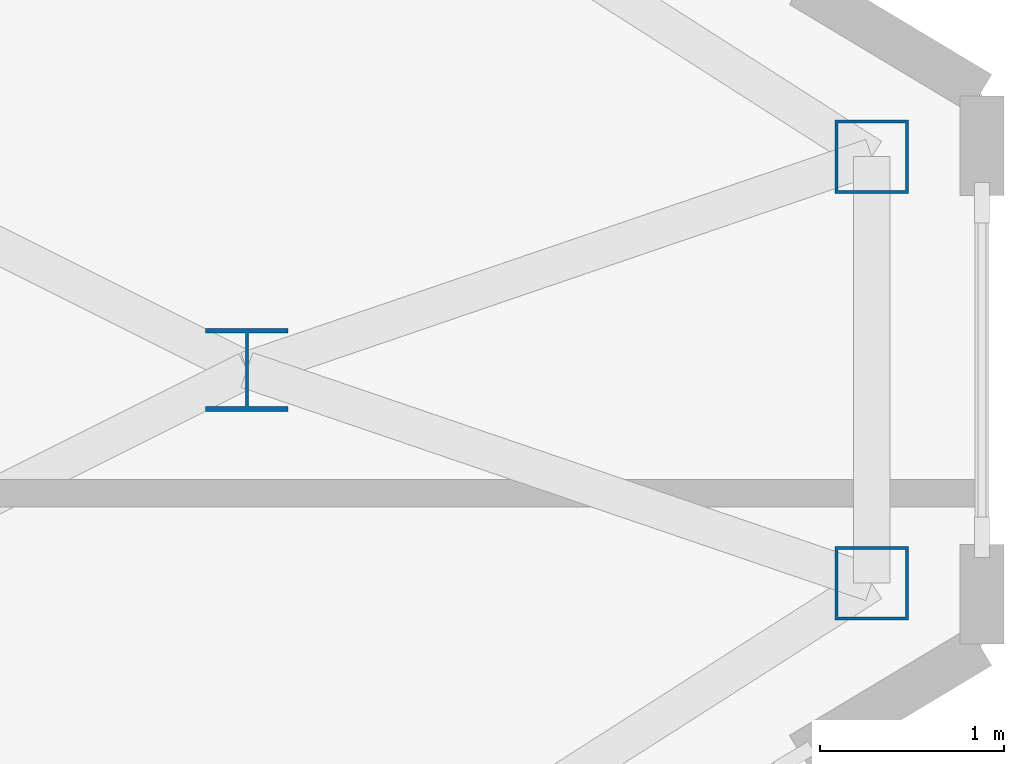
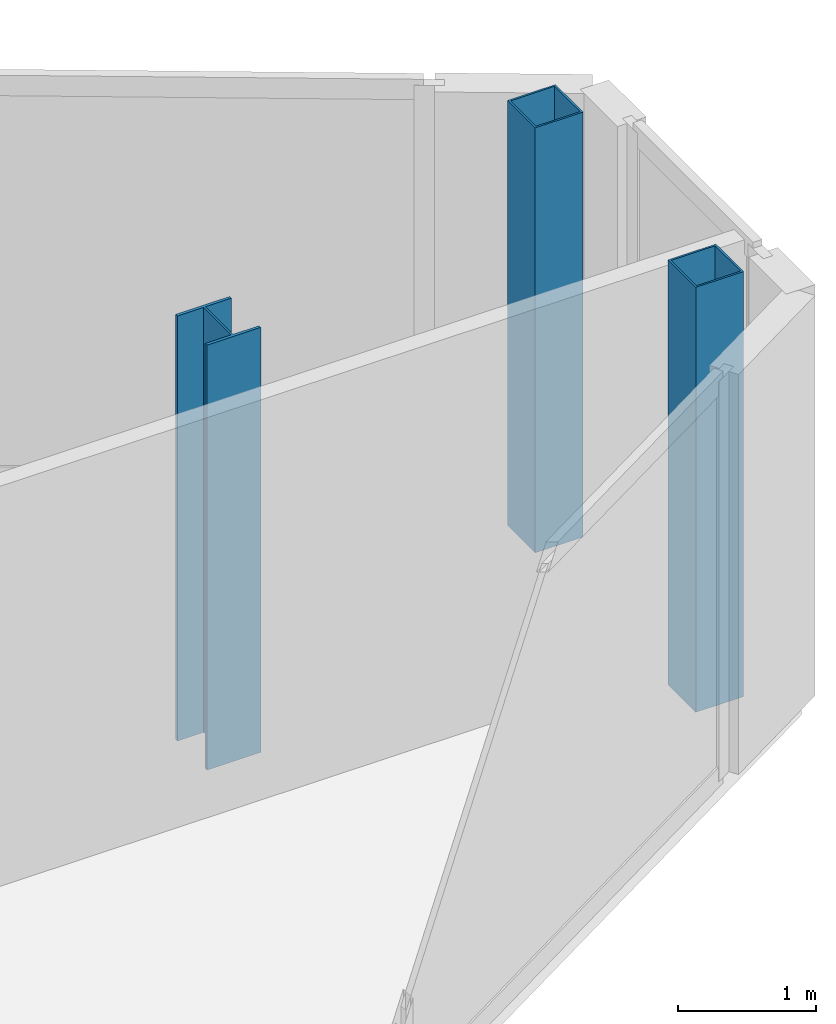
# One storey, part 7 of 29: 3 columns.
"""IFC4 building model written with IfcOpenShell, lengths in metres."""

from ifc_helpers import new_model, si_unit, direction, frame, origin, origin_2d, place, context, subcontext, project, spatial, hollow_rectangle, i_section, extrude, source, transform, mapped, material, material_profile, profile_set, type_object, type_shapes, element, save


model = new_model("IFC4")

# Units and contexts
model_context = context("Model", 3, precision=1e-05, world=origin(), true_north=direction((0.0, 1.0)))
body_context = subcontext(model_context, "Body", "Model", "MODEL_VIEW")
ifc_project = project(units=[si_unit("LENGTHUNIT", "METRE"), si_unit("AREAUNIT", "SQUARE_METRE"), si_unit("VOLUMEUNIT", "CUBIC_METRE"), si_unit("PLANEANGLEUNIT", "RADIAN"), si_unit("MASSUNIT", "GRAM", prefix="KILO")], contexts=[model_context])

# Site, building, storey
site_placement = place(None, origin())
site = spatial("IfcSite", under=ifc_project, at=site_placement, CompositionType="ELEMENT")
building_placement = place(site_placement, origin())
building = spatial("IfcBuilding", under=site, at=building_placement, Name="Seokmaru Belvedere", CompositionType="ELEMENT")
storey_placement = place(building_placement, frame((0.0, 0.0, 258.14990234375)))
storey = spatial("IfcBuildingStorey", under=building, at=storey_placement, Name="L68", CompositionType="ELEMENT", Elevation=258.14990234375)

# Columns
ifc_material = material(Name="Steel SM355 (355 MPa)", Category="steel")
ifc_material_profile_1 = material_profile(ifc_material, i_section(OverallWidth=0.449951171875, OverallDepth=0.449951171875, WebThickness=0.01611328125, FlangeThickness=0.02490234375, at=origin_2d()), Name="H-450x450x16x25")
ifc_profile_set_1 = profile_set([ifc_material_profile_1], Name="Steel SM355 (355 MPa)")
column_type_1 = type_object("IfcColumnType", Name="Sky-Gate Column H-450", PredefinedType="COLUMN", material=ifc_profile_set_1)
shared_shape_1 = source(origin(), body_context, "Body", "SweptSolid", [
    extrude(i_section(OverallWidth=0.449951171875, OverallDepth=0.449951171875, WebThickness=0.01611328125, FlangeThickness=0.02490234375, at=origin_2d()), origin(), (0.0, 0.0, 1.0), 3.75),
])
type_shapes(column_type_1, [shared_shape_1])
column_placement = place(storey_placement, frame((63.5, 0.0, 0.0), z_axis=(0.0, 0.0, 1.0), x_axis=(1.0, 0.0, 0.0)))
element("IfcColumn", 1, at=column_placement, inside=storey, type_object=column_type_1, Name="L68 Column EG3P_1", PredefinedType="COLUMN", context=body_context, shape_type="MappedRepresentation", body=[
    mapped(shared_shape_1, transform((0.0, 0.0, 0.0), scale=1.0)),
])
ifc_material_profile_2 = material_profile(ifc_material, hollow_rectangle(XDim=0.39990234375, YDim=0.39990234375, WallThickness=0.01611328125, at=origin_2d()), Name="HSS-400x400x16")
ifc_profile_set_2 = profile_set([ifc_material_profile_2], Name="Steel SM355 (355 MPa)")
column_type_2 = type_object("IfcColumnType", Name="Perimeter Facet Column HSS-400", PredefinedType="COLUMN", material=ifc_profile_set_2)
shared_shape_2 = source(origin(), body_context, "Body", "SweptSolid", [
    extrude(hollow_rectangle(XDim=0.39990234375, YDim=0.39990234375, WallThickness=0.01611328125, at=origin_2d()), origin(), (0.0, 0.0, 1.0), 3.75),
])
type_shapes(column_type_2, [shared_shape_2])
for number, where, z_axis, x_axis, name in (
    (2, (66.89990234375, -1.160400390625, 0.0), (0.0, 0.0, 1.0), (1.0, 0.0, 0.0), "L68 Column EF2"),
    (3, (66.89990234375, 1.160400390625, 0.0), (0.0, 0.0, 1.0), (1.0, 0.0, 0.0), "L68 Column EF3"),
):
    element("IfcColumn", number, at=place(storey_placement, frame(where, z_axis=z_axis, x_axis=x_axis)), inside=storey, type_object=column_type_2, Name=name, PredefinedType="COLUMN", context=body_context, shape_type="MappedRepresentation", body=[
        mapped(shared_shape_2, transform((0.0, 0.0, 0.0), scale=1.0)),
    ])

save(model, "model.ifc")
